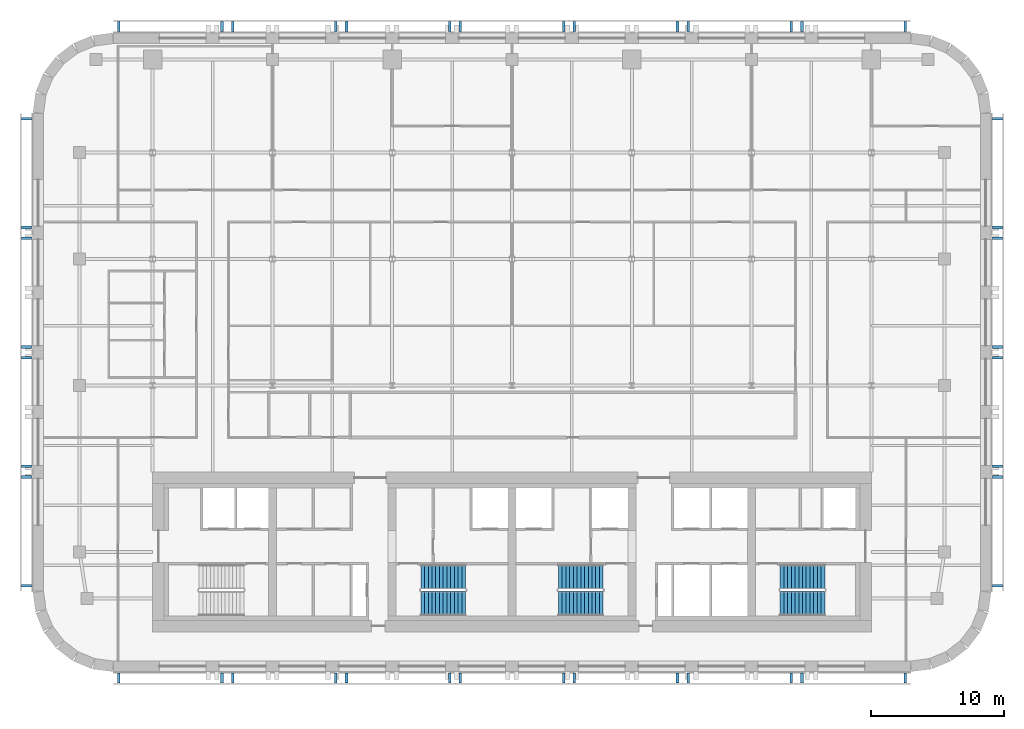
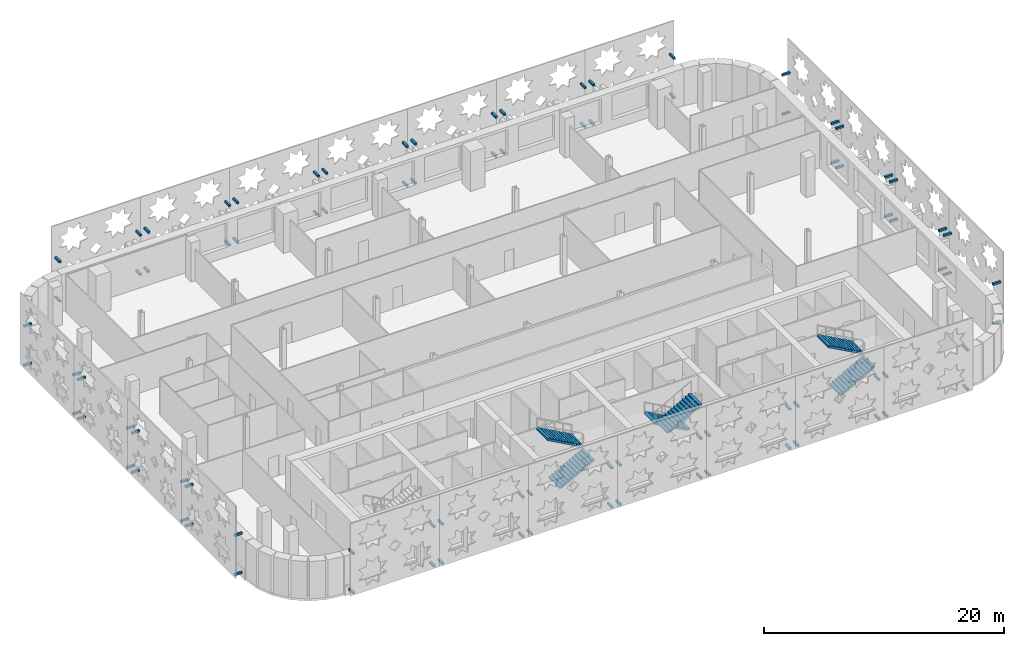
# One storey, part 8 of 12: 88 discrete accessories, 6 stair flights, 3 elements without a shape of their own.
"""IFC4 building model written with IfcOpenShell, lengths in metres."""

from ifc_helpers import new_model, si_unit, direction, frame, origin, origin_2d, place, context, subcontext, project, spatial, polyline, rectangle, outline, extrude, material, type_object, element, aggregate, save


model = new_model("IFC4")

# Units and contexts
model_context = context("Model", 3, precision=1e-05, world=origin(), true_north=direction((0.0, 1.0)))
body_context = subcontext(model_context, "Body", "Model", "MODEL_VIEW")
ifc_project = project(units=[si_unit("LENGTHUNIT", "METRE"), si_unit("AREAUNIT", "SQUARE_METRE"), si_unit("VOLUMEUNIT", "CUBIC_METRE"), si_unit("PLANEANGLEUNIT", "RADIAN"), si_unit("MASSUNIT", "GRAM", prefix="KILO")], contexts=[model_context])

# Site, building, storey
site_placement = place(None, origin())
site = spatial("IfcSite", under=ifc_project, at=site_placement, CompositionType="ELEMENT")
building_placement = place(site_placement, origin())
building = spatial("IfcBuilding", under=site, at=building_placement, Name="Zellij Exchange Tower", CompositionType="ELEMENT")
storey_placement = place(building_placement, frame((0.0, 0.0, 180.5)))
storey = spatial("IfcBuildingStorey", under=building, at=storey_placement, Name="L41", CompositionType="ELEMENT", Elevation=180.5)

# Stair, stair flights
ifc_material_1 = material(Name="Concrete C40/50", Category="concrete")
stair_type = type_object("IfcStairType", Name="CORE-ST exit stair 1850 wide", PredefinedType="HALF_TURN_STAIR", material=ifc_material_1)
stair_1_placement = place(storey_placement, origin())
stair_1 = element("IfcStair", 1, at=stair_1_placement, inside=storey, type_object=stair_type, Name="L41 exit stair ST2", PredefinedType="HALF_TURN_STAIR")
stair_flight_type = type_object("IfcStairFlightType", Name="CORE-SF flight 1850 riser 153.8 going 280", PredefinedType="STRAIGHT", material=ifc_material_1)
stair_flight_1_placement = place(storey_placement, frame((-6.85009765625, -11.875, 0.0), z_axis=(0.0, 0.0, 1.0), x_axis=(1.0, 0.0, 0.0)))
stair_flight_1 = element("IfcStairFlight", 2, at=stair_flight_1_placement, type_object=stair_flight_type, Name="ST2 flight 1", NumberOfRisers=13, NumberOfTreads=12, PredefinedType="STRAIGHT", RiserHeight=0.153846154, TreadLength=0.28, context=body_context, shape_type="SweptSolid", body=[
    extrude(outline(polyline([(0.0, 0.0), (0.0, 0.15380859375), (0.280029296875, 0.15380859375), (0.280029296875, 0.3076171875), (0.56005859375, 0.3076171875), (0.56005859375, 0.46142578125), (0.840087890625, 0.46142578125), (0.840087890625, 0.615478515625), (1.1201171875, 0.615478515625), (1.1201171875, 0.769287109375), (1.39990234375, 0.769287109375), (1.39990234375, 0.923095703125), (1.679931640625, 0.923095703125), (1.679931640625, 1.076904296875), (1.9599609375, 1.076904296875), (1.9599609375, 1.230712890625), (2.239990234375, 1.230712890625), (2.239990234375, 1.384521484375), (2.52001953125, 1.384521484375), (2.52001953125, 1.53857421875), (2.800048828125, 1.53857421875), (2.800048828125, 1.6923828125), (3.080078125, 1.6923828125), (3.080078125, 1.84619140625), (3.360107421875, 1.84619140625), (3.360107421875, 2.0), (3.360107421875, 1.675048828125), (0.311279296875, 0.0), (0.0, 0.0)])), frame((0.0, 0.925048828125, 0.0), z_axis=(0.0, -1.0, 0.0), x_axis=(1.0, 0.0, 0.0)), (0.0, 0.0, 1.0), 1.85009765625),
])
stair_flight_2_placement = place(storey_placement, frame((-3.489990234375, -9.875, 2.0), z_axis=(0.0, 0.0, 1.0), x_axis=(-1.0, 0.0, 0.0)))
stair_flight_2 = element("IfcStairFlight", 3, at=stair_flight_2_placement, type_object=stair_flight_type, Name="ST2 flight 2", NumberOfRisers=13, NumberOfTreads=12, PredefinedType="STRAIGHT", RiserHeight=0.153846154, TreadLength=0.28, context=body_context, shape_type="SweptSolid", body=[
    extrude(outline(polyline([(0.0, 0.0), (0.0, 0.15380859375), (0.280029296875, 0.15380859375), (0.280029296875, 0.3076171875), (0.56005859375, 0.3076171875), (0.56005859375, 0.46142578125), (0.840087890625, 0.46142578125), (0.840087890625, 0.615478515625), (1.1201171875, 0.615478515625), (1.1201171875, 0.769287109375), (1.39990234375, 0.769287109375), (1.39990234375, 0.923095703125), (1.679931640625, 0.923095703125), (1.679931640625, 1.076904296875), (1.9599609375, 1.076904296875), (1.9599609375, 1.230712890625), (2.239990234375, 1.230712890625), (2.239990234375, 1.384521484375), (2.52001953125, 1.384521484375), (2.52001953125, 1.53857421875), (2.800048828125, 1.53857421875), (2.800048828125, 1.6923828125), (3.080078125, 1.6923828125), (3.080078125, 1.84619140625), (3.360107421875, 1.84619140625), (3.360107421875, 2.0), (3.360107421875, 1.675048828125), (0.311279296875, 0.0), (0.0, 0.0)])), frame((0.0, 0.925048828125, 0.0), z_axis=(0.0, -1.0, 0.0), x_axis=(1.0, 0.0, 0.0)), (0.0, 0.0, 1.0), 1.85009765625),
])
aggregate(stair_1, [stair_flight_1, stair_flight_2])

stair_2_placement = place(storey_placement, origin())
stair_2 = element("IfcStair", 4, at=stair_2_placement, inside=storey, type_object=stair_type, Name="L41 exit stair ST3", PredefinedType="HALF_TURN_STAIR")
stair_flight_3_placement = place(storey_placement, frame((6.85009765625, -9.875, 0.0), z_axis=(0.0, 0.0, 1.0), x_axis=(-1.0, 0.0, 0.0)))
stair_flight_3 = element("IfcStairFlight", 5, at=stair_flight_3_placement, type_object=stair_flight_type, Name="ST3 flight 1", NumberOfRisers=13, NumberOfTreads=12, PredefinedType="STRAIGHT", RiserHeight=0.153846154, TreadLength=0.28, context=body_context, shape_type="SweptSolid", body=[
    extrude(outline(polyline([(0.0, 0.0), (0.0, 0.15380859375), (0.280029296875, 0.15380859375), (0.280029296875, 0.3076171875), (0.56005859375, 0.3076171875), (0.56005859375, 0.46142578125), (0.840087890625, 0.46142578125), (0.840087890625, 0.615478515625), (1.1201171875, 0.615478515625), (1.1201171875, 0.769287109375), (1.39990234375, 0.769287109375), (1.39990234375, 0.923095703125), (1.679931640625, 0.923095703125), (1.679931640625, 1.076904296875), (1.9599609375, 1.076904296875), (1.9599609375, 1.230712890625), (2.239990234375, 1.230712890625), (2.239990234375, 1.384521484375), (2.52001953125, 1.384521484375), (2.52001953125, 1.53857421875), (2.800048828125, 1.53857421875), (2.800048828125, 1.6923828125), (3.080078125, 1.6923828125), (3.080078125, 1.84619140625), (3.360107421875, 1.84619140625), (3.360107421875, 2.0), (3.360107421875, 1.675048828125), (0.311279296875, 0.0), (0.0, 0.0)])), frame((0.0, 0.925048828125, 0.0), z_axis=(0.0, -1.0, 0.0), x_axis=(1.0, 0.0, 0.0)), (0.0, 0.0, 1.0), 1.85009765625),
])
stair_flight_4_placement = place(storey_placement, frame((3.489990234375, -11.875, 2.0), z_axis=(0.0, 0.0, 1.0), x_axis=(1.0, 0.0, 0.0)))
stair_flight_4 = element("IfcStairFlight", 6, at=stair_flight_4_placement, type_object=stair_flight_type, Name="ST3 flight 2", NumberOfRisers=13, NumberOfTreads=12, PredefinedType="STRAIGHT", RiserHeight=0.153846154, TreadLength=0.28, context=body_context, shape_type="SweptSolid", body=[
    extrude(outline(polyline([(0.0, 0.0), (0.0, 0.15380859375), (0.280029296875, 0.15380859375), (0.280029296875, 0.3076171875), (0.56005859375, 0.3076171875), (0.56005859375, 0.46142578125), (0.840087890625, 0.46142578125), (0.840087890625, 0.615478515625), (1.1201171875, 0.615478515625), (1.1201171875, 0.769287109375), (1.39990234375, 0.769287109375), (1.39990234375, 0.923095703125), (1.679931640625, 0.923095703125), (1.679931640625, 1.076904296875), (1.9599609375, 1.076904296875), (1.9599609375, 1.230712890625), (2.239990234375, 1.230712890625), (2.239990234375, 1.384521484375), (2.52001953125, 1.384521484375), (2.52001953125, 1.53857421875), (2.800048828125, 1.53857421875), (2.800048828125, 1.6923828125), (3.080078125, 1.6923828125), (3.080078125, 1.84619140625), (3.360107421875, 1.84619140625), (3.360107421875, 2.0), (3.360107421875, 1.675048828125), (0.311279296875, 0.0), (0.0, 0.0)])), frame((0.0, 0.925048828125, 0.0), z_axis=(0.0, -1.0, 0.0), x_axis=(1.0, 0.0, 0.0)), (0.0, 0.0, 1.0), 1.85009765625),
])
aggregate(stair_2, [stair_flight_3, stair_flight_4])

stair_3_placement = place(storey_placement, origin())
stair_3 = element("IfcStair", 7, at=stair_3_placement, inside=storey, type_object=stair_type, Name="L41 exit stair ST4", PredefinedType="HALF_TURN_STAIR")
stair_flight_5_placement = place(storey_placement, frame((20.14990234375, -11.875, 0.0), z_axis=(0.0, 0.0, 1.0), x_axis=(1.0, 0.0, 0.0)))
stair_flight_5 = element("IfcStairFlight", 8, at=stair_flight_5_placement, type_object=stair_flight_type, Name="ST4 flight 1", NumberOfRisers=13, NumberOfTreads=12, PredefinedType="STRAIGHT", RiserHeight=0.153846154, TreadLength=0.28, context=body_context, shape_type="SweptSolid", body=[
    extrude(outline(polyline([(0.0, 0.0), (0.0, 0.15380859375), (0.280029296875, 0.15380859375), (0.280029296875, 0.3076171875), (0.56005859375, 0.3076171875), (0.56005859375, 0.46142578125), (0.840087890625, 0.46142578125), (0.840087890625, 0.615478515625), (1.1201171875, 0.615478515625), (1.1201171875, 0.769287109375), (1.39990234375, 0.769287109375), (1.39990234375, 0.923095703125), (1.679931640625, 0.923095703125), (1.679931640625, 1.076904296875), (1.9599609375, 1.076904296875), (1.9599609375, 1.230712890625), (2.239990234375, 1.230712890625), (2.239990234375, 1.384521484375), (2.52001953125, 1.384521484375), (2.52001953125, 1.53857421875), (2.800048828125, 1.53857421875), (2.800048828125, 1.6923828125), (3.080078125, 1.6923828125), (3.080078125, 1.84619140625), (3.360107421875, 1.84619140625), (3.360107421875, 2.0), (3.360107421875, 1.675048828125), (0.311279296875, 0.0), (0.0, 0.0)])), frame((0.0, 0.925048828125, 0.0), z_axis=(0.0, -1.0, 0.0), x_axis=(1.0, 0.0, 0.0)), (0.0, 0.0, 1.0), 1.85009765625),
])
stair_flight_6_placement = place(storey_placement, frame((23.510009765625, -9.875, 2.0), z_axis=(0.0, 0.0, 1.0), x_axis=(-1.0, 0.0, 0.0)))
stair_flight_6 = element("IfcStairFlight", 9, at=stair_flight_6_placement, type_object=stair_flight_type, Name="ST4 flight 2", NumberOfRisers=13, NumberOfTreads=12, PredefinedType="STRAIGHT", RiserHeight=0.153846154, TreadLength=0.28, context=body_context, shape_type="SweptSolid", body=[
    extrude(outline(polyline([(0.0, 0.0), (0.0, 0.15380859375), (0.280029296875, 0.15380859375), (0.280029296875, 0.3076171875), (0.56005859375, 0.3076171875), (0.56005859375, 0.46142578125), (0.840087890625, 0.46142578125), (0.840087890625, 0.615478515625), (1.1201171875, 0.615478515625), (1.1201171875, 0.769287109375), (1.39990234375, 0.769287109375), (1.39990234375, 0.923095703125), (1.679931640625, 0.923095703125), (1.679931640625, 1.076904296875), (1.9599609375, 1.076904296875), (1.9599609375, 1.230712890625), (2.239990234375, 1.230712890625), (2.239990234375, 1.384521484375), (2.52001953125, 1.384521484375), (2.52001953125, 1.53857421875), (2.800048828125, 1.53857421875), (2.800048828125, 1.6923828125), (3.080078125, 1.6923828125), (3.080078125, 1.84619140625), (3.360107421875, 1.84619140625), (3.360107421875, 2.0), (3.360107421875, 1.675048828125), (0.311279296875, 0.0), (0.0, 0.0)])), frame((0.0, 0.925048828125, 0.0), z_axis=(0.0, -1.0, 0.0), x_axis=(1.0, 0.0, 0.0)), (0.0, 0.0, 1.0), 1.85009765625),
])
aggregate(stair_3, [stair_flight_5, stair_flight_6])

# Discrete accessories
ifc_material_2 = material(Name="Stainless steel", Category="steel")
discrete_accessory_type = type_object("IfcDiscreteAccessoryType", Name="ENV-BR1 Stone panel bracket 200", PredefinedType="USERDEFINED", material=ifc_material_2)
for number, where, z_axis, x_axis, name in (
    (10, (-36.47509765625, 24.547607421875, 0.2998046875), (0.0, 0.0, 1.0), (0.0, -1.0, 0.0), "Panel bracket"),
    (11, (-36.47509765625, 16.373779296875, 0.2998046875), (0.0, 0.0, 1.0), (0.0, -1.0, 0.0), "Panel bracket"),
    (12, (-36.47509765625, 24.547607421875, 4.2998046875), (0.0, 0.0, 1.0), (0.0, -1.0, 0.0), "Panel bracket"),
    (13, (-36.47509765625, 16.373779296875, 4.2998046875), (0.0, 0.0, 1.0), (0.0, -1.0, 0.0), "Panel bracket"),
    (14, (-36.47509765625, 15.57373046875, 0.2998046875), (0.0, 0.0, 1.0), (0.0, -1.0, 0.0), "Panel bracket"),
    (15, (-36.47509765625, 7.39990234375, 0.2998046875), (0.0, 0.0, 1.0), (0.0, -1.0, 0.0), "Panel bracket"),
    (16, (-36.47509765625, 15.57373046875, 4.2998046875), (0.0, 0.0, 1.0), (0.0, -1.0, 0.0), "Panel bracket"),
    (17, (-36.47509765625, 7.39990234375, 4.2998046875), (0.0, 0.0, 1.0), (0.0, -1.0, 0.0), "Panel bracket"),
    (18, (-36.47509765625, 6.60009765625, 0.2998046875), (0.0, 0.0, 1.0), (0.0, -1.0, 0.0), "Panel bracket"),
    (19, (-36.47509765625, -1.57373046875, 0.2998046875), (0.0, 0.0, 1.0), (0.0, -1.0, 0.0), "Panel bracket"),
    (20, (-36.47509765625, 6.60009765625, 4.2998046875), (0.0, 0.0, 1.0), (0.0, -1.0, 0.0), "Panel bracket"),
    (21, (-36.47509765625, -1.57373046875, 4.2998046875), (0.0, 0.0, 1.0), (0.0, -1.0, 0.0), "Panel bracket"),
    (22, (-36.47509765625, -2.373779296875, 0.2998046875), (0.0, 0.0, 1.0), (0.0, -1.0, 0.0), "Panel bracket"),
    (23, (-36.47509765625, -10.547607421875, 0.2998046875), (0.0, 0.0, 1.0), (0.0, -1.0, 0.0), "Panel bracket"),
    (24, (-36.47509765625, -2.373779296875, 4.2998046875), (0.0, 0.0, 1.0), (0.0, -1.0, 0.0), "Panel bracket"),
    (25, (-36.47509765625, -10.547607421875, 4.2998046875), (0.0, 0.0, 1.0), (0.0, -1.0, 0.0), "Panel bracket"),
    (26, (-29.547607421875, -17.47509765625, 0.2998046875), (0.0, 0.0, 1.0), (1.0, 0.0, 0.0), "Panel bracket"),
    (27, (-21.791015625, -17.47509765625, 0.2998046875), (0.0, 0.0, 1.0), (1.0, 0.0, 0.0), "Panel bracket"),
    (28, (-29.547607421875, -17.47509765625, 4.2998046875), (0.0, 0.0, 1.0), (1.0, 0.0, 0.0), "Panel bracket"),
    (29, (-21.791015625, -17.47509765625, 4.2998046875), (0.0, 0.0, 1.0), (1.0, 0.0, 0.0), "Panel bracket"),
    (30, (-20.9912109375, -17.47509765625, 0.2998046875), (0.0, 0.0, 1.0), (1.0, 0.0, 0.0), "Panel bracket"),
    (31, (-13.234619140625, -17.47509765625, 0.2998046875), (0.0, 0.0, 1.0), (1.0, 0.0, 0.0), "Panel bracket"),
    (32, (-20.9912109375, -17.47509765625, 4.2998046875), (0.0, 0.0, 1.0), (1.0, 0.0, 0.0), "Panel bracket"),
    (33, (-13.234619140625, -17.47509765625, 4.2998046875), (0.0, 0.0, 1.0), (1.0, 0.0, 0.0), "Panel bracket"),
    (34, (-12.434814453125, -17.47509765625, 0.2998046875), (0.0, 0.0, 1.0), (1.0, 0.0, 0.0), "Panel bracket"),
    (35, (-4.67822265625, -17.47509765625, 0.2998046875), (0.0, 0.0, 1.0), (1.0, 0.0, 0.0), "Panel bracket"),
    (36, (-12.434814453125, -17.47509765625, 4.2998046875), (0.0, 0.0, 1.0), (1.0, 0.0, 0.0), "Panel bracket"),
    (37, (-4.67822265625, -17.47509765625, 4.2998046875), (0.0, 0.0, 1.0), (1.0, 0.0, 0.0), "Panel bracket"),
    (38, (-3.878173828125, -17.47509765625, 0.2998046875), (0.0, 0.0, 1.0), (1.0, 0.0, 0.0), "Panel bracket"),
    (39, (3.878173828125, -17.47509765625, 0.2998046875), (0.0, 0.0, 1.0), (1.0, 0.0, 0.0), "Panel bracket"),
    (40, (-3.878173828125, -17.47509765625, 4.2998046875), (0.0, 0.0, 1.0), (1.0, 0.0, 0.0), "Panel bracket"),
    (41, (3.878173828125, -17.47509765625, 4.2998046875), (0.0, 0.0, 1.0), (1.0, 0.0, 0.0), "Panel bracket"),
    (42, (4.67822265625, -17.47509765625, 0.2998046875), (0.0, 0.0, 1.0), (1.0, 0.0, 0.0), "Panel bracket"),
    (43, (12.434814453125, -17.47509765625, 0.2998046875), (0.0, 0.0, 1.0), (1.0, 0.0, 0.0), "Panel bracket"),
    (44, (4.67822265625, -17.47509765625, 4.2998046875), (0.0, 0.0, 1.0), (1.0, 0.0, 0.0), "Panel bracket"),
    (45, (12.434814453125, -17.47509765625, 4.2998046875), (0.0, 0.0, 1.0), (1.0, 0.0, 0.0), "Panel bracket"),
    (46, (13.234619140625, -17.47509765625, 0.2998046875), (0.0, 0.0, 1.0), (1.0, 0.0, 0.0), "Panel bracket"),
    (47, (20.9912109375, -17.47509765625, 0.2998046875), (0.0, 0.0, 1.0), (1.0, 0.0, 0.0), "Panel bracket"),
    (48, (13.234619140625, -17.47509765625, 4.2998046875), (0.0, 0.0, 1.0), (1.0, 0.0, 0.0), "Panel bracket"),
    (49, (20.9912109375, -17.47509765625, 4.2998046875), (0.0, 0.0, 1.0), (1.0, 0.0, 0.0), "Panel bracket"),
    (50, (21.791015625, -17.47509765625, 0.2998046875), (0.0, 0.0, 1.0), (1.0, 0.0, 0.0), "Panel bracket"),
    (51, (29.547607421875, -17.47509765625, 0.2998046875), (0.0, 0.0, 1.0), (1.0, 0.0, 0.0), "Panel bracket"),
    (52, (21.791015625, -17.47509765625, 4.2998046875), (0.0, 0.0, 1.0), (1.0, 0.0, 0.0), "Panel bracket"),
    (53, (29.547607421875, -17.47509765625, 4.2998046875), (0.0, 0.0, 1.0), (1.0, 0.0, 0.0), "Panel bracket"),
    (54, (29.547607421875, 31.47509765625, 0.2998046875), (0.0, 0.0, 1.0), (-1.0, 0.0, 0.0), "Panel bracket"),
    (55, (21.791015625, 31.47509765625, 0.2998046875), (0.0, 0.0, 1.0), (-1.0, 0.0, 0.0), "Panel bracket"),
    (56, (29.547607421875, 31.47509765625, 4.2998046875), (0.0, 0.0, 1.0), (-1.0, 0.0, 0.0), "Panel bracket"),
    (57, (21.791015625, 31.47509765625, 4.2998046875), (0.0, 0.0, 1.0), (-1.0, 0.0, 0.0), "Panel bracket"),
    (58, (20.9912109375, 31.47509765625, 0.2998046875), (0.0, 0.0, 1.0), (-1.0, 0.0, 0.0), "Panel bracket"),
    (59, (13.234619140625, 31.47509765625, 0.2998046875), (0.0, 0.0, 1.0), (-1.0, 0.0, 0.0), "Panel bracket"),
    (60, (20.9912109375, 31.47509765625, 4.2998046875), (0.0, 0.0, 1.0), (-1.0, 0.0, 0.0), "Panel bracket"),
    (61, (13.234619140625, 31.47509765625, 4.2998046875), (0.0, 0.0, 1.0), (-1.0, 0.0, 0.0), "Panel bracket"),
    (62, (12.434814453125, 31.47509765625, 0.2998046875), (0.0, 0.0, 1.0), (-1.0, 0.0, 0.0), "Panel bracket"),
    (63, (4.67822265625, 31.47509765625, 0.2998046875), (0.0, 0.0, 1.0), (-1.0, 0.0, 0.0), "Panel bracket"),
    (64, (12.434814453125, 31.47509765625, 4.2998046875), (0.0, 0.0, 1.0), (-1.0, 0.0, 0.0), "Panel bracket"),
    (65, (4.67822265625, 31.47509765625, 4.2998046875), (0.0, 0.0, 1.0), (-1.0, 0.0, 0.0), "Panel bracket"),
    (66, (3.878173828125, 31.47509765625, 0.2998046875), (0.0, 0.0, 1.0), (-1.0, 0.0, 0.0), "Panel bracket"),
    (67, (-3.878173828125, 31.47509765625, 0.2998046875), (0.0, 0.0, 1.0), (-1.0, 0.0, 0.0), "Panel bracket"),
    (68, (3.878173828125, 31.47509765625, 4.2998046875), (0.0, 0.0, 1.0), (-1.0, 0.0, 0.0), "Panel bracket"),
    (69, (-3.878173828125, 31.47509765625, 4.2998046875), (0.0, 0.0, 1.0), (-1.0, 0.0, 0.0), "Panel bracket"),
    (70, (-4.67822265625, 31.47509765625, 0.2998046875), (0.0, 0.0, 1.0), (-1.0, 0.0, 0.0), "Panel bracket"),
    (71, (-12.434814453125, 31.47509765625, 0.2998046875), (0.0, 0.0, 1.0), (-1.0, 0.0, 0.0), "Panel bracket"),
    (72, (-4.67822265625, 31.47509765625, 4.2998046875), (0.0, 0.0, 1.0), (-1.0, 0.0, 0.0), "Panel bracket"),
    (73, (-12.434814453125, 31.47509765625, 4.2998046875), (0.0, 0.0, 1.0), (-1.0, 0.0, 0.0), "Panel bracket"),
    (74, (-13.234619140625, 31.47509765625, 0.2998046875), (0.0, 0.0, 1.0), (-1.0, 0.0, 0.0), "Panel bracket"),
    (75, (-20.9912109375, 31.47509765625, 0.2998046875), (0.0, 0.0, 1.0), (-1.0, 0.0, 0.0), "Panel bracket"),
    (76, (-13.234619140625, 31.47509765625, 4.2998046875), (0.0, 0.0, 1.0), (-1.0, 0.0, 0.0), "Panel bracket"),
    (77, (-20.9912109375, 31.47509765625, 4.2998046875), (0.0, 0.0, 1.0), (-1.0, 0.0, 0.0), "Panel bracket"),
    (78, (-21.791015625, 31.47509765625, 0.2998046875), (0.0, 0.0, 1.0), (-1.0, 0.0, 0.0), "Panel bracket"),
    (79, (-29.547607421875, 31.47509765625, 0.2998046875), (0.0, 0.0, 1.0), (-1.0, 0.0, 0.0), "Panel bracket"),
    (80, (-21.791015625, 31.47509765625, 4.2998046875), (0.0, 0.0, 1.0), (-1.0, 0.0, 0.0), "Panel bracket"),
    (81, (-29.547607421875, 31.47509765625, 4.2998046875), (0.0, 0.0, 1.0), (-1.0, 0.0, 0.0), "Panel bracket"),
    (82, (36.47509765625, -10.547607421875, 0.2998046875), (0.0, 0.0, 1.0), (0.0, 1.0, 0.0), "Panel bracket"),
    (83, (36.47509765625, -2.373779296875, 0.2998046875), (0.0, 0.0, 1.0), (0.0, 1.0, 0.0), "Panel bracket"),
    (84, (36.47509765625, -10.547607421875, 4.2998046875), (0.0, 0.0, 1.0), (0.0, 1.0, 0.0), "Panel bracket"),
    (85, (36.47509765625, -2.373779296875, 4.2998046875), (0.0, 0.0, 1.0), (0.0, 1.0, 0.0), "Panel bracket"),
    (86, (36.47509765625, -1.57373046875, 0.2998046875), (0.0, 0.0, 1.0), (0.0, 1.0, 0.0), "Panel bracket"),
    (87, (36.47509765625, 6.60009765625, 0.2998046875), (0.0, 0.0, 1.0), (0.0, 1.0, 0.0), "Panel bracket"),
    (88, (36.47509765625, -1.57373046875, 4.2998046875), (0.0, 0.0, 1.0), (0.0, 1.0, 0.0), "Panel bracket"),
    (89, (36.47509765625, 6.60009765625, 4.2998046875), (0.0, 0.0, 1.0), (0.0, 1.0, 0.0), "Panel bracket"),
    (90, (36.47509765625, 7.39990234375, 0.2998046875), (0.0, 0.0, 1.0), (0.0, 1.0, 0.0), "Panel bracket"),
    (91, (36.47509765625, 15.57373046875, 0.2998046875), (0.0, 0.0, 1.0), (0.0, 1.0, 0.0), "Panel bracket"),
    (92, (36.47509765625, 7.39990234375, 4.2998046875), (0.0, 0.0, 1.0), (0.0, 1.0, 0.0), "Panel bracket"),
    (93, (36.47509765625, 15.57373046875, 4.2998046875), (0.0, 0.0, 1.0), (0.0, 1.0, 0.0), "Panel bracket"),
    (94, (36.47509765625, 16.373779296875, 0.2998046875), (0.0, 0.0, 1.0), (0.0, 1.0, 0.0), "Panel bracket"),
    (95, (36.47509765625, 24.547607421875, 0.2998046875), (0.0, 0.0, 1.0), (0.0, 1.0, 0.0), "Panel bracket"),
    (96, (36.47509765625, 16.373779296875, 4.2998046875), (0.0, 0.0, 1.0), (0.0, 1.0, 0.0), "Panel bracket"),
    (97, (36.47509765625, 24.547607421875, 4.2998046875), (0.0, 0.0, 1.0), (0.0, 1.0, 0.0), "Panel bracket"),
):
    element("IfcDiscreteAccessory", number, at=place(storey_placement, frame(where, z_axis=z_axis, x_axis=x_axis)), inside=storey, type_object=discrete_accessory_type, Name=name, ObjectType="BRACKET", PredefinedType="USERDEFINED", context=body_context, shape_type="SweptSolid", body=[
        extrude(rectangle(XDim=0.199951171875, YDim=0.75, at=origin_2d()), origin(), (0.0, 0.0, 1.0), 0.199951171875),
    ])

save(model, "model.ifc")
